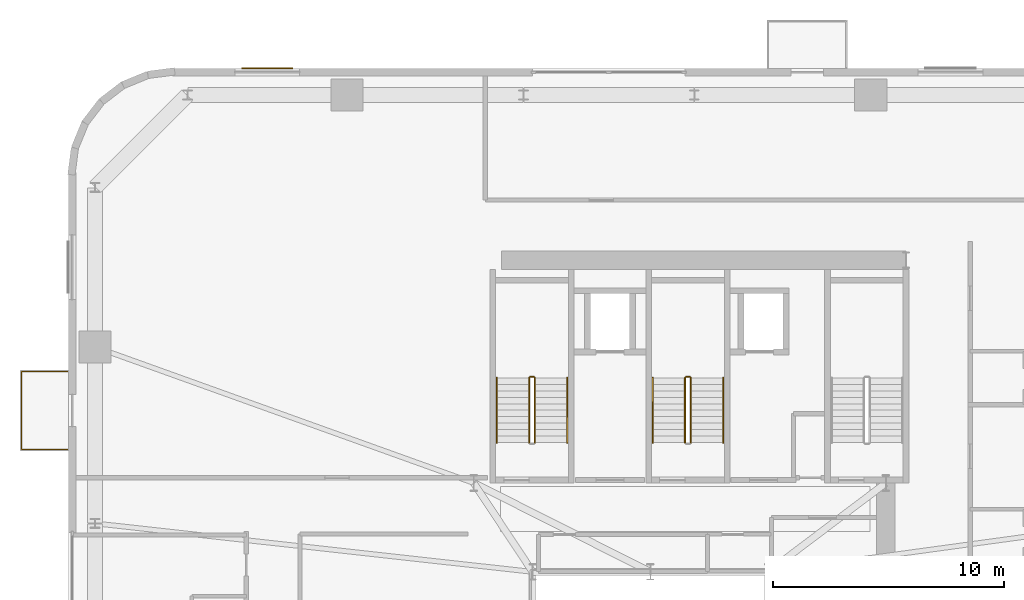
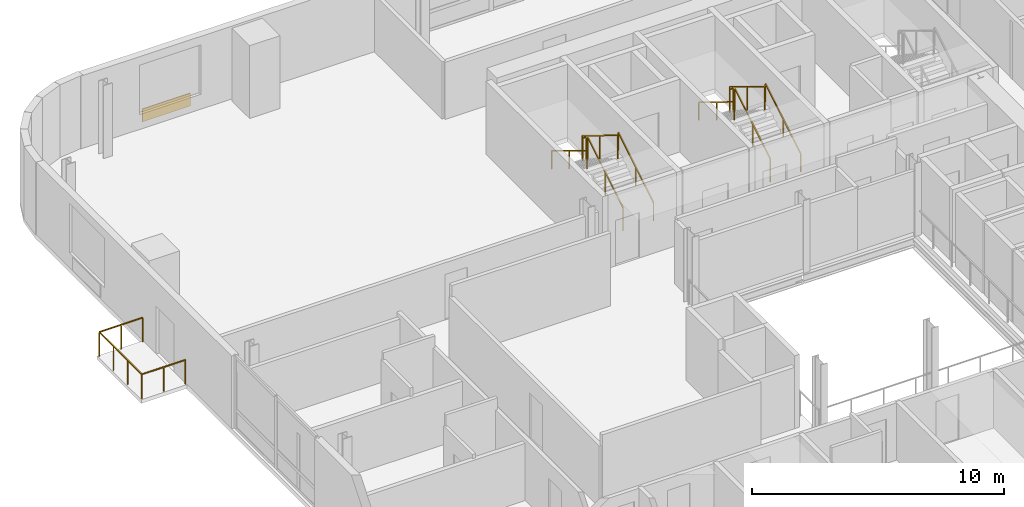
# One storey, part 15 of 16: 11 railings, 1 covering.
"""IFC4 building model written with IfcOpenShell, lengths in metres."""

from ifc_helpers import new_model, si_unit, direction, frame, origin, origin_2d, place, context, subcontext, project, spatial, rectangle, extrude, source, transform, mapped, material, layer, layer_set, type_object, element, save


model = new_model("IFC4")

# Units and contexts
model_context = context("Model", 3, precision=1e-05, world=origin(), true_north=direction((0.0, 1.0)))
body_context = subcontext(model_context, "Body", "Model", "MODEL_VIEW")
ifc_project = project(units=[si_unit("LENGTHUNIT", "METRE"), si_unit("AREAUNIT", "SQUARE_METRE"), si_unit("VOLUMEUNIT", "CUBIC_METRE"), si_unit("PLANEANGLEUNIT", "RADIAN"), si_unit("MASSUNIT", "GRAM", prefix="KILO")], contexts=[model_context])

# Site, building, storey
site_placement = place(None, origin())
site = spatial("IfcSite", under=ifc_project, at=site_placement, CompositionType="ELEMENT")
building_placement = place(site_placement, origin())
building = spatial("IfcBuilding", under=site, at=building_placement, Name="Vardaveli Station Tower", CompositionType="ELEMENT")
storey_placement = place(building_placement, frame((0.0, 0.0, 211.050048828125)))
storey = spatial("IfcBuildingStorey", under=building, at=storey_placement, Name="L54", CompositionType="ELEMENT", Elevation=211.050048828125)

# Covering
ifc_material_1 = material(Name="Ventilated honed travertine stone cladding", Category="masonry")
ifc_layer = layer(ifc_material_1, 0.044921875, Name="Ventilated honed travertine stone cladding")
ifc_layer_set = layer_set([ifc_layer], Name="Ventilated honed travertine stone cladding")
covering_type = type_object("IfcCoveringType", Name="COV-CLAD-TR45", PredefinedType="CLADDING", material=ifc_layer_set)
shared_shape_1 = source(origin(), body_context, "Body", "SweptSolid", [
    extrude(rectangle(XDim=2.199951171875, YDim=0.044921875, at=origin_2d()), origin(), (0.0, 0.0, 1.0), 0.6201171875),
])
covering_placement = place(storey_placement, frame((19.705078125, 48.614501953125, 0.06982421875), z_axis=(0.0, 0.0, 1.0), x_axis=(1.0, 0.0, 0.0)))
element("IfcCovering", 1, at=covering_placement, inside=storey, type_object=covering_type, Name="CLD-TR-L54-N", PredefinedType="CLADDING", context=body_context, shape_type="MappedRepresentation", body=[
    mapped(shared_shape_1, transform((0.0, 0.0, 0.0), scale=1.0)),
])

# Railings
ifc_material_2 = material(Name="Laminated glass and stainless steel balustrade", Category="steel")
railing_type_1 = type_object("IfcRailingType", Name="RL-BAL-1200", PredefinedType="BALUSTRADE", material=ifc_material_2)
shared_shape_2 = source(origin(), body_context, "Body", "SweptSolid", [
    extrude(rectangle(XDim=0.048095703125, YDim=0.048095703125, at=origin_2d()), frame((0.0, 0.0, 1.17578125), z_axis=(-1.0, 0.0, 0.0), x_axis=(0.0, -1.0, 0.0)), (0.0, 0.0, 1.0), 2.0),
    extrude(rectangle(XDim=0.048095703125, YDim=0.048095703125, at=origin_2d()), frame((-2.0, 0.0, 1.17578125), z_axis=(0.0, 1.0, 0.0), x_axis=(-1.0, 0.0, 0.0)), (0.0, 0.0, 1.0), 3.3798828125),
    extrude(rectangle(XDim=0.048095703125, YDim=0.048095703125, at=origin_2d()), frame((-2.0, 3.3798828125, 1.17578125), z_axis=(1.0, 0.0, 0.0), x_axis=(0.0, 1.0, 0.0)), (0.0, 0.0, 1.0), 2.0),
    extrude(rectangle(XDim=0.0419921875, YDim=0.0419921875, at=origin_2d()), origin(), (0.0, 0.0, 1.0), 1.15185546875),
    extrude(rectangle(XDim=0.0419921875, YDim=0.0419921875, at=origin_2d()), frame((-1.0, 0.0, 0.0)), (0.0, 0.0, 1.0), 1.15185546875),
    extrude(rectangle(XDim=0.0419921875, YDim=0.0419921875, at=origin_2d()), frame((-2.0, 0.0, 0.0)), (0.0, 0.0, 1.0), 1.15185546875),
    extrude(rectangle(XDim=0.0419921875, YDim=0.0419921875, at=origin_2d()), frame((-2.0, 1.126708984375, 0.0)), (0.0, 0.0, 1.0), 1.15185546875),
    extrude(rectangle(XDim=0.0419921875, YDim=0.0419921875, at=origin_2d()), frame((-2.0, 2.253173828125, 0.0)), (0.0, 0.0, 1.0), 1.15185546875),
    extrude(rectangle(XDim=0.0419921875, YDim=0.0419921875, at=origin_2d()), frame((-2.0, 3.3798828125, 0.0)), (0.0, 0.0, 1.0), 1.15185546875),
    extrude(rectangle(XDim=0.0419921875, YDim=0.0419921875, at=origin_2d()), frame((-1.0, 3.3798828125, 0.0)), (0.0, 0.0, 1.0), 1.15185546875),
    extrude(rectangle(XDim=0.0419921875, YDim=0.0419921875, at=origin_2d()), frame((0.0, 3.3798828125, 0.0)), (0.0, 0.0, 1.0), 1.15185546875),
])
railing_placement = place(storey_placement, frame((11.06005859375, 32.099609375, 0.0)))
element("IfcRailing", 2, at=railing_placement, inside=storey, type_object=railing_type_1, Name="RL-LOG-L54-03", PredefinedType="BALUSTRADE", context=body_context, shape_type="MappedRepresentation", body=[
    mapped(shared_shape_2, transform((0.0, 0.0, 0.0), scale=1.0)),
])
ifc_material_3 = material(Name="Brushed AISI 316 stainless steel", Category="steel")
railing_type_2 = type_object("IfcRailingType", Name="RL-GUARD-1150", PredefinedType="GUARDRAIL", material=ifc_material_3)
shared_shape_3 = source(origin(), body_context, "Body", "SweptSolid", [
    extrude(rectangle(XDim=0.048095703125, YDim=0.048095703125, at=origin_2d()), frame((0.0, 0.0, 1.1259765625), z_axis=(-1.0, 0.0, 0.0), x_axis=(0.0, -1.0, 0.0)), (0.0, 0.0, 1.0), 0.14990234375),
    extrude(rectangle(XDim=0.0419921875, YDim=0.0419921875, at=origin_2d()), origin(), (0.0, 0.0, 1.0), 1.101806640625),
    extrude(rectangle(XDim=0.0419921875, YDim=0.0419921875, at=origin_2d()), frame((-0.14990234375, 0.0, 0.0)), (0.0, 0.0, 1.0), 1.101806640625),
])
for number, where, name in (
    (3, (31.25, 35.25, 1.875), "L54 ST-1 stair guard 2"),
    (4, (38.0, 35.25, 1.875), "L54 ST-2 stair guard 2"),
):
    element("IfcRailing", number, at=place(storey_placement, frame(where)), inside=storey, type_object=railing_type_2, Name=name, PredefinedType="GUARDRAIL", context=body_context, shape_type="MappedRepresentation", body=[
        mapped(shared_shape_3, transform((0.0, 0.0, 0.0), scale=1.0)),
    ])
shared_shape_4 = source(origin(), body_context, "Body", "SweptSolid", [
    extrude(rectangle(XDim=0.048095703125, YDim=0.048095703125, at=origin_2d()), frame((0.0, 0.0, 1.1259765625), z_axis=(0.0, 0.854169791009, 0.51999420009), x_axis=(-1.0, 0.0, 0.0)), (0.0, 0.0, 1.0), 3.278076171875),
    extrude(rectangle(XDim=0.0419921875, YDim=0.0419921875, at=origin_2d()), origin(), (0.0, 0.0, 1.0), 1.101806640625),
    extrude(rectangle(XDim=0.0419921875, YDim=0.0419921875, at=origin_2d()), frame((0.0, 1.39990234375, 0.852294921875)), (0.0, 0.0, 1.0), 1.101806640625),
    extrude(rectangle(XDim=0.0419921875, YDim=0.0419921875, at=origin_2d()), frame((0.0, 2.800048828125, 1.70458984375)), (0.0, 0.0, 1.0), 1.101806640625),
])
for number, where, name in (
    (5, (31.300048828125, 32.39990234375, 0.17041015625), "L54 ST-1 stair guard 1"),
    (6, (38.050048828125, 32.39990234375, 0.17041015625), "L54 ST-2 stair guard 1"),
):
    element("IfcRailing", number, at=place(storey_placement, frame(where)), inside=storey, type_object=railing_type_2, Name=name, PredefinedType="GUARDRAIL", context=body_context, shape_type="MappedRepresentation", body=[
        mapped(shared_shape_4, transform((0.0, 0.0, 0.0), scale=1.0)),
    ])
shared_shape_5 = source(origin(), body_context, "Body", "SweptSolid", [
    extrude(rectangle(XDim=0.048095703125, YDim=0.048095703125, at=origin_2d()), frame((0.0, 0.0, 1.1259765625), z_axis=(0.0, -0.854169791009, 0.51999420009), x_axis=(1.0, 0.0, 0.0)), (0.0, 0.0, 1.0), 3.278076171875),
    extrude(rectangle(XDim=0.0419921875, YDim=0.0419921875, at=origin_2d()), origin(), (0.0, 0.0, 1.0), 1.101806640625),
    extrude(rectangle(XDim=0.0419921875, YDim=0.0419921875, at=origin_2d()), frame((0.0, -1.39990234375, 0.852294921875)), (0.0, 0.0, 1.0), 1.101806640625),
    extrude(rectangle(XDim=0.0419921875, YDim=0.0419921875, at=origin_2d()), frame((0.0, -2.800048828125, 1.70458984375)), (0.0, 0.0, 1.0), 1.101806640625),
])
for number, where, name in (
    (7, (31.050048828125, 35.199951171875, 2.04541015625), "L54 ST-1 stair guard 3"),
    (8, (37.800048828125, 35.199951171875, 2.04541015625), "L54 ST-2 stair guard 3"),
):
    element("IfcRailing", number, at=place(storey_placement, frame(where)), inside=storey, type_object=railing_type_2, Name=name, PredefinedType="GUARDRAIL", context=body_context, shape_type="MappedRepresentation", body=[
        mapped(shared_shape_5, transform((0.0, 0.0, 0.0), scale=1.0)),
    ])
railing_type_3 = type_object("IfcRailingType", Name="RL-HAND-900", PredefinedType="HANDRAIL", material=ifc_material_3)
shared_shape_6 = source(origin(), body_context, "Body", "SweptSolid", [
    extrude(rectangle(XDim=0.048095703125, YDim=0.048095703125, at=origin_2d()), frame((0.0, 0.0, 0.8759765625), z_axis=(0.0, 0.854169791009, 0.51999420009), x_axis=(-1.0, 0.0, 0.0)), (0.0, 0.0, 1.0), 3.278076171875),
    extrude(rectangle(XDim=0.0419921875, YDim=0.0419921875, at=origin_2d()), origin(), (0.0, 0.0, 1.0), 0.851806640625),
    extrude(rectangle(XDim=0.0419921875, YDim=0.0419921875, at=origin_2d()), frame((0.0, 1.39990234375, 0.852294921875)), (0.0, 0.0, 1.0), 0.851806640625),
    extrude(rectangle(XDim=0.0419921875, YDim=0.0419921875, at=origin_2d()), frame((0.0, 2.800048828125, 1.70458984375)), (0.0, 0.0, 1.0), 0.851806640625),
])
for number, where, name in (
    (9, (32.699951171875, 32.39990234375, 0.17041015625), "L54 ST-1 stair handrail 1"),
    (10, (39.449951171875, 32.39990234375, 0.17041015625), "L54 ST-2 stair handrail 1"),
):
    element("IfcRailing", number, at=place(storey_placement, frame(where)), inside=storey, type_object=railing_type_3, Name=name, PredefinedType="HANDRAIL", context=body_context, shape_type="MappedRepresentation", body=[
        mapped(shared_shape_6, transform((0.0, 0.0, 0.0), scale=1.0)),
    ])
shared_shape_7 = source(origin(), body_context, "Body", "SweptSolid", [
    extrude(rectangle(XDim=0.048095703125, YDim=0.048095703125, at=origin_2d()), frame((0.0, 0.0, 0.8759765625), z_axis=(0.0, -0.854169791009, 0.51999420009), x_axis=(1.0, 0.0, 0.0)), (0.0, 0.0, 1.0), 3.278076171875),
    extrude(rectangle(XDim=0.0419921875, YDim=0.0419921875, at=origin_2d()), origin(), (0.0, 0.0, 1.0), 0.851806640625),
    extrude(rectangle(XDim=0.0419921875, YDim=0.0419921875, at=origin_2d()), frame((0.0, -1.39990234375, 0.852294921875)), (0.0, 0.0, 1.0), 0.851806640625),
    extrude(rectangle(XDim=0.0419921875, YDim=0.0419921875, at=origin_2d()), frame((0.0, -2.800048828125, 1.70458984375)), (0.0, 0.0, 1.0), 0.851806640625),
])
for number, where, name in (
    (11, (29.64990234375, 35.199951171875, 2.04541015625), "L54 ST-1 stair handrail 2"),
    (12, (36.39990234375, 35.199951171875, 2.04541015625), "L54 ST-2 stair handrail 2"),
):
    element("IfcRailing", number, at=place(storey_placement, frame(where)), inside=storey, type_object=railing_type_3, Name=name, PredefinedType="HANDRAIL", context=body_context, shape_type="MappedRepresentation", body=[
        mapped(shared_shape_7, transform((0.0, 0.0, 0.0), scale=1.0)),
    ])

save(model, "model.ifc")
